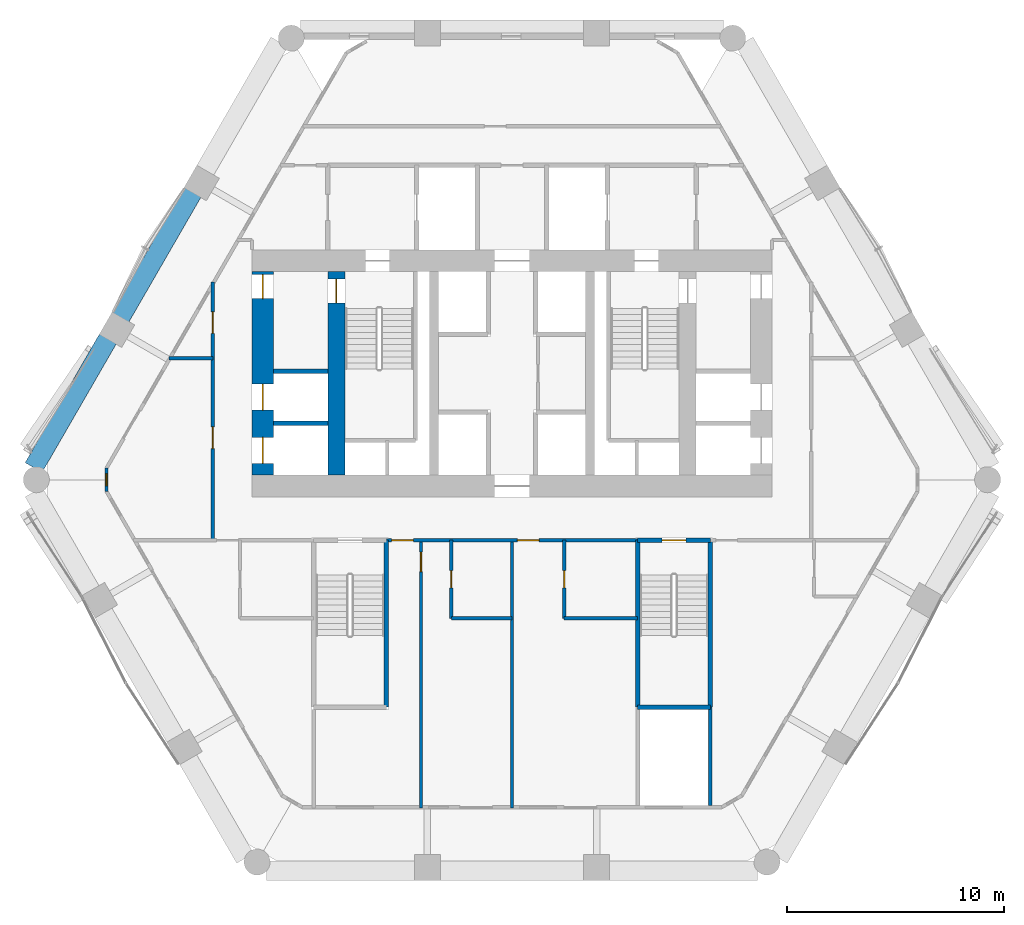
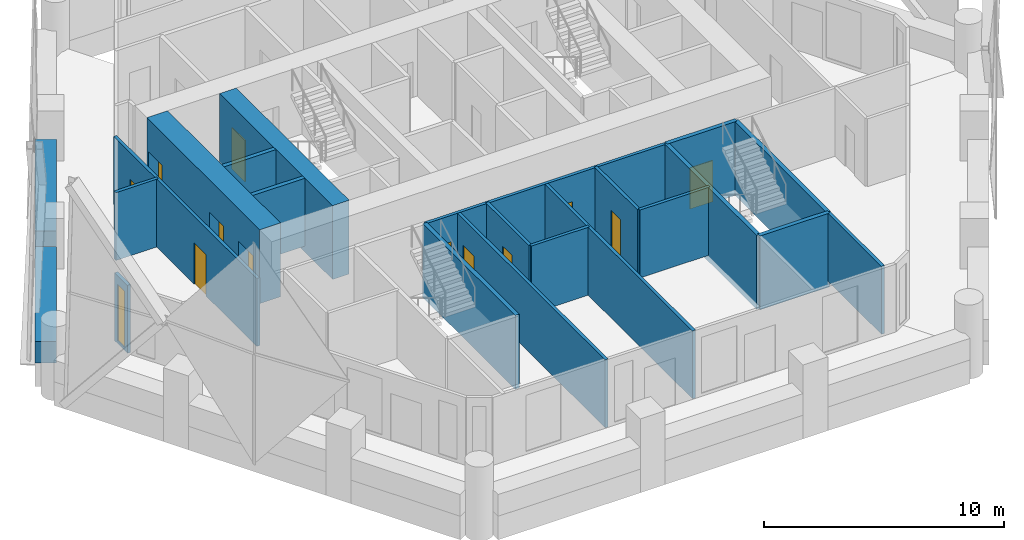
# One storey, part 10 of 17: 22 walls, 12 doors, 1 window, 13 openings.
"""IFC4 building model written with IfcOpenShell, lengths in metres."""

from ifc_helpers import new_model, si_unit, direction, frame, frame_2d, origin, place, context, subcontext, project, spatial, rectangle, extrude, material, layer, layer_set, type_object, element, fill, save


model = new_model("IFC4")

# Units and contexts
model_context = context("Model", 3, precision=1e-05, world=origin(), true_north=direction((0.0, 1.0)))
body_context = subcontext(model_context, "Body", "Model", "MODEL_VIEW")
ifc_project = project(units=[si_unit("LENGTHUNIT", "METRE"), si_unit("AREAUNIT", "SQUARE_METRE"), si_unit("VOLUMEUNIT", "CUBIC_METRE"), si_unit("PLANEANGLEUNIT", "RADIAN"), si_unit("MASSUNIT", "GRAM", prefix="KILO")], contexts=[model_context])

# Site, building, storey
site_placement = place(None, origin())
site = spatial("IfcSite", under=ifc_project, at=site_placement, CompositionType="ELEMENT")
building_placement = place(site_placement, origin())
building = spatial("IfcBuilding", under=site, at=building_placement, Name="Ostrander Bayou Hotel Tower", CompositionType="ELEMENT")
storey_placement = place(building_placement, frame((0.0, 0.0, 127.25)))
storey = spatial("IfcBuildingStorey", under=building, at=storey_placement, Name="L31", CompositionType="ELEMENT", Elevation=127.25)

# Wall, openings, doors
ifc_material_1 = material(Name="Concrete f'c 70 MPa", Category="concrete")
ifc_layer_1 = layer(ifc_material_1, 1.0)
ifc_layer_set_1 = layer_set([ifc_layer_1], Name="CW4 core wall 1000 mm f'c 70 MPa")
wall_type_1 = type_object("IfcWallType", Name="CW4 core wall 1000 mm f'c 70 MPa", PredefinedType="SHEAR", material=ifc_layer_set_1)
wall_1_placement = place(storey_placement, frame((-11.5, -0.699951171875, -0.300048828125), z_axis=(0.0, 0.0, 1.0), x_axis=(0.0, 1.0, 0.0)))
wall_1 = element("IfcWall", 1, at=wall_1_placement, inside=storey, type_object=wall_type_1, Name="CW4 L31 RW", PredefinedType="SHEAR", context=body_context, shape_type="SweptSolid", body=[
    extrude(rectangle(XDim=9.39990234375, YDim=1.0, at=frame_2d((4.699951171875, 0.0))), origin(), (0.0, 0.0, 1.0), 3.75),
])
opening_1_placement = place(wall_1_placement, frame((8.14990234375, 0.0, 0.0)))
opening_1 = element("IfcOpeningElement", 2, at=opening_1_placement, cuts=wall_1, Name="Opening T31-015", PredefinedType="OPENING", context=body_context, shape_type="SweptSolid", body=[
    extrude(rectangle(XDim=1.10009765625, YDim=2.10009765625, at=frame_2d((0.550048828125, 1.050048828125))), frame((0.0, 0.5, 0.0), z_axis=(0.0, -1.0, 0.0), x_axis=(1.0, 0.0, 0.0)), (0.0, 0.0, 1.0), 1.0),
])
opening_2_placement = place(wall_1_placement, frame((0.550048828125, 0.0, 0.0)))
opening_2 = element("IfcOpeningElement", 3, at=opening_2_placement, cuts=wall_1, Name="Opening T31-016", PredefinedType="OPENING", context=body_context, shape_type="SweptSolid", body=[
    extrude(rectangle(XDim=1.199951171875, YDim=2.10009765625, at=frame_2d((0.60009765625, 1.050048828125))), frame((0.0, 0.5, 0.0), z_axis=(0.0, -1.0, 0.0), x_axis=(1.0, 0.0, 0.0)), (0.0, 0.0, 1.0), 1.0),
])
opening_3_placement = place(wall_1_placement, frame((3.0, 0.0, 0.0)))
opening_3 = element("IfcOpeningElement", 4, at=opening_3_placement, cuts=wall_1, Name="Opening T31-017", PredefinedType="OPENING", context=body_context, shape_type="SweptSolid", body=[
    extrude(rectangle(XDim=1.199951171875, YDim=2.10009765625, at=frame_2d((0.60009765625, 1.050048828125))), frame((0.0, 0.5, 0.0), z_axis=(0.0, -1.0, 0.0), x_axis=(1.0, 0.0, 0.0)), (0.0, 0.0, 1.0), 1.0),
])
ifc_material_2 = material(Name="Timber door leaf", Category="wood")
door_type_1 = type_object("IfcDoorType", Name="D5 stair door 1100 x 2100 mm, 90 minute", OperationType="SINGLE_SWING_LEFT", PredefinedType="DOOR", material=ifc_material_2)
door_1_placement = place(opening_1_placement, origin())
door_1 = element("IfcDoor", 5, at=door_1_placement, inside=storey, type_object=door_type_1, Name="dr:L31:015", OperationType="SINGLE_SWING_LEFT", OverallHeight=2.10009765625, OverallWidth=1.10009765625, PredefinedType="DOOR", context=body_context, shape_type="SweptSolid", body=[
    extrude(rectangle(XDim=1.10009765625, YDim=2.10009765625, at=frame_2d((0.550048828125, 1.050048828125))), frame((0.0, 0.02490234375, 0.0), z_axis=(0.0, -1.0, 0.0), x_axis=(1.0, 0.0, 0.0)), (0.0, 0.0, 1.0), 0.050048828125),
])
fill(opening_1, door_1)
ifc_material_3 = material(Name="Stainless steel sliding door", Category="steel")
door_type_2 = type_object("IfcDoorType", Name="LD1 lift landing door 1200 x 2100 mm", OperationType="SINGLE_SWING_LEFT", PredefinedType="DOOR", material=ifc_material_3)
door_2_placement = place(opening_2_placement, origin())
door_2 = element("IfcDoor", 6, at=door_2_placement, inside=storey, type_object=door_type_2, Name="dr:L31:016", OperationType="SLIDING_TO_LEFT", OverallHeight=2.10009765625, OverallWidth=1.199951171875, PredefinedType="DOOR", context=body_context, shape_type="SweptSolid", body=[
    extrude(rectangle(XDim=1.199951171875, YDim=2.10009765625, at=frame_2d((0.60009765625, 1.050048828125))), frame((0.0, 0.02490234375, 0.0), z_axis=(0.0, -1.0, 0.0), x_axis=(1.0, 0.0, 0.0)), (0.0, 0.0, 1.0), 0.050048828125),
])
fill(opening_2, door_2)
door_3_placement = place(opening_3_placement, origin())
door_3 = element("IfcDoor", 7, at=door_3_placement, inside=storey, type_object=door_type_2, Name="dr:L31:017", OperationType="SLIDING_TO_LEFT", OverallHeight=2.10009765625, OverallWidth=1.199951171875, PredefinedType="DOOR", context=body_context, shape_type="SweptSolid", body=[
    extrude(rectangle(XDim=1.199951171875, YDim=2.10009765625, at=frame_2d((0.60009765625, 1.050048828125))), frame((0.0, 0.02490234375, 0.0), z_axis=(0.0, -1.0, 0.0), x_axis=(1.0, 0.0, 0.0)), (0.0, 0.0, 1.0), 0.050048828125),
])
fill(opening_3, door_3)

# Wall, opening, door
ifc_material_4 = material(Name="Concrete f'c 70 MPa", Category="concrete")
ifc_layer_2 = layer(ifc_material_4, 0.800048828125)
ifc_layer_set_2 = layer_set([ifc_layer_2], Name="CW5 core spine wall 800 mm f'c 70 MPa")
wall_type_2 = type_object("IfcWallType", Name="CW5 core spine wall 800 mm f'c 70 MPa", PredefinedType="SHEAR", material=ifc_layer_set_2)
wall_2_placement = place(storey_placement, frame((-8.10009765625, -0.699951171875, -0.300048828125), z_axis=(0.0, 0.0, 1.0), x_axis=(0.0, 1.0, 0.0)))
wall_2 = element("IfcWall", 8, at=wall_2_placement, inside=storey, type_object=wall_type_2, Name="CW5 L31 W", PredefinedType="SHEAR", context=body_context, shape_type="SweptSolid", body=[
    extrude(rectangle(XDim=9.39990234375, YDim=0.800048828125, at=frame_2d((4.699951171875, 0.0))), origin(), (0.0, 0.0, 1.0), 3.75),
])
opening_4_placement = place(wall_2_placement, frame((7.949951171875, 0.0, 0.0)))
opening_4 = element("IfcOpeningElement", 9, at=opening_4_placement, cuts=wall_2, Name="Opening T31-004", PredefinedType="OPENING", context=body_context, shape_type="SweptSolid", body=[
    extrude(rectangle(XDim=1.10009765625, YDim=2.10009765625, at=frame_2d((0.550048828125, 1.050048828125))), frame((0.0, 0.39990234375, 0.0), z_axis=(0.0, -1.0, 0.0), x_axis=(1.0, 0.0, 0.0)), (0.0, 0.0, 1.0), 0.800048828125),
])
door_4_placement = place(opening_4_placement, origin())
door_4 = element("IfcDoor", 10, at=door_4_placement, inside=storey, type_object=door_type_1, Name="dr:L31:004", OperationType="SINGLE_SWING_RIGHT", OverallHeight=2.10009765625, OverallWidth=1.10009765625, PredefinedType="DOOR", context=body_context, shape_type="SweptSolid", body=[
    extrude(rectangle(XDim=1.10009765625, YDim=2.10009765625, at=frame_2d((0.550048828125, 1.050048828125))), frame((0.0, 0.02490234375, 0.0), z_axis=(0.0, -1.0, 0.0), x_axis=(1.0, 0.0, 0.0)), (0.0, 0.0, 1.0), 0.050048828125),
])
fill(opening_4, door_4)

# Wall, opening, window
ifc_material_5 = material(Name="Aluminium framed insulated wall", Category="aluminium")
ifc_layer_3 = layer(ifc_material_5, 0.14990234375)
ifc_layer_set_3 = layer_set([ifc_layer_3], Name="GW1 glass-line wall 150 mm")
wall_type_3 = type_object("IfcWallType", Name="GW1 glass-line wall 150 mm", PredefinedType="SOLIDWALL", material=ifc_layer_set_3)
wall_3_placement = place(storey_placement, frame((-18.7099609375, -0.37841796875, 0.0), z_axis=(0.0, 0.0, 1.0), x_axis=(0.0, -1.0, 0.0)))
wall_3 = element("IfcWall", 11, at=wall_3_placement, inside=storey, type_object=wall_type_3, Name="GW1 L31 corner 2", PredefinedType="SOLIDWALL", context=body_context, shape_type="SweptSolid", body=[
    extrude(rectangle(XDim=1.065185546875, YDim=0.14990234375, at=frame_2d((0.53271484375, 0.0))), origin(), (0.0, 0.0, 1.0), 3.449951171875),
])
opening_5_placement = place(wall_3_placement, frame((0.257568359375, 0.0, 0.14990234375)))
opening_5 = element("IfcOpeningElement", 12, at=opening_5_placement, cuts=wall_3, Name="Opening W19", PredefinedType="OPENING", context=body_context, shape_type="SweptSolid", body=[
    extrude(rectangle(XDim=0.550048828125, YDim=2.85009765625, at=frame_2d((0.27490234375, 1.425048828125))), frame((0.0, 0.074951171875, 0.0), z_axis=(0.0, -1.0, 0.0), x_axis=(1.0, 0.0, 0.0)), (0.0, 0.0, 1.0), 0.14990234375),
])
ifc_material_6 = material(Name="Aluminium and clear glass", Category="aluminium")
window_type = type_object("IfcWindowType", Name="W19 corner window 550 mm", PartitioningType="SINGLE_PANEL", PredefinedType="WINDOW", material=ifc_material_6)
window_placement = place(opening_5_placement, origin())
window = element("IfcWindow", 13, at=window_placement, inside=storey, type_object=window_type, Name="W19 L31 corner 2", OverallHeight=2.85009765625, OverallWidth=0.550048828125, PartitioningType="SINGLE_PANEL", PredefinedType="WINDOW", context=body_context, shape_type="SweptSolid", body=[
    extrude(rectangle(XDim=0.550048828125, YDim=2.85009765625, at=frame_2d((0.27490234375, 1.425048828125))), frame((0.0, 0.030029296875, 0.0), z_axis=(0.0, -1.0, 0.0), x_axis=(1.0, 0.0, 0.0)), (0.0, 0.0, 1.0), 0.06005859375),
])
fill(opening_5, window)

# Walls
ifc_material_7 = material(Name="Concrete f'c 40 MPa", Category="concrete")
ifc_layer_4 = layer(ifc_material_7, 0.89990234375)
ifc_layer_set_4 = layer_set([ifc_layer_4], Name="PA1 stone-faced parapet 900 mm")
wall_type_4 = type_object("IfcWallType", Name="PA1 stone-faced parapet 900 mm", PredefinedType="PARAPET", material=ifc_layer_set_4)
wall_4_placement = place(storey_placement, frame((-14.7333984375, 12.359130859375, 0.0), z_axis=(0.0, 0.0, 1.0), x_axis=(-0.499999023957, -0.866025967302, 0.0)))
element("IfcWall", 14, at=wall_4_placement, inside=storey, type_object=wall_type_4, Name="PA1 L31 NW-2", PredefinedType="PARAPET", context=body_context, shape_type="SweptSolid", body=[
    extrude(rectangle(XDim=6.67333984375, YDim=0.89990234375, at=frame_2d((3.336669921875, 0.0))), origin(), (0.0, 0.0, 1.0), 1.10009765625),
])
wall_5_placement = place(storey_placement, frame((-18.639892578125, 5.592529296875, 0.0), z_axis=(0.0, 0.0, 1.0), x_axis=(-0.500001814021, -0.866024356456, 0.0)))
element("IfcWall", 15, at=wall_5_placement, inside=storey, type_object=wall_type_4, Name="PA1 L31 NW-3", PredefinedType="PARAPET", context=body_context, shape_type="SweptSolid", body=[
    extrude(rectangle(XDim=6.85888671875, YDim=0.89990234375, at=frame_2d((3.429443359375, 0.0))), origin(), (0.0, 0.0, 1.0), 1.10009765625),
])
ifc_material_8 = material(Name="Masonry block", Category="masonry")
ifc_layer_5 = layer(ifc_material_8, 0.199951171875)
ifc_layer_set_5 = layer_set([ifc_layer_5], Name="PT6 lift shaft wall 200 mm masonry, 2 hour")
wall_type_5 = type_object("IfcWallType", Name="PT6 lift shaft wall 200 mm masonry, 2 hour", PredefinedType="PARTITIONING", material=ifc_layer_set_5)
for number, where, z_axis, x_axis, name in (
    (16, (-11.0, 1.699951171875, 0.0), (0.0, 0.0, 1.0), (1.0, 0.0, 0.0), "cs:L31:033"),
    (17, (-11.0, 4.10009765625, 0.0), (0.0, 0.0, 1.0), (1.0, 0.0, 0.0), "cs:L31:034"),
):
    element("IfcWall", number, at=place(storey_placement, frame(where, z_axis=z_axis, x_axis=x_axis)), inside=storey, type_object=wall_type_5, Name=name, PredefinedType="PARTITIONING", context=body_context, shape_type="SweptSolid", body=[
        extrude(rectangle(XDim=2.5, YDim=0.199951171875, at=frame_2d((1.25, 0.0))), origin(), (0.0, 0.0, 1.0), 3.449951171875),
    ])
ifc_material_9 = material(Name="Gypsum board partition", Category="finish")
ifc_layer_6 = layer(ifc_material_9, 0.14990234375)
ifc_layer_set_6 = layer_set([ifc_layer_6], Name="PT7 riser wall 150 mm, 2 hour")
wall_type_6 = type_object("IfcWallType", Name="PT7 riser wall 150 mm, 2 hour", PredefinedType="PARTITIONING", material=ifc_layer_set_6)
wall_6_placement = place(storey_placement, frame((9.14990234375, -11.39990234375, 0.0), z_axis=(0.0, 0.0, 1.0), x_axis=(0.0, -1.0, 0.0)))
element("IfcWall", 18, at=wall_6_placement, inside=storey, type_object=wall_type_6, Name="cs:L31:020", PredefinedType="PARTITIONING", context=body_context, shape_type="SweptSolid", body=[
    extrude(rectangle(XDim=4.5390625, YDim=0.14990234375, at=frame_2d((2.26953125, 0.0))), origin(), (0.0, 0.0, 1.0), 3.449951171875),
])
ifc_material_10 = material(Name="Gypsum board partition", Category="finish")
ifc_layer_7 = layer(ifc_material_10, 0.14990234375)
ifc_layer_set_7 = layer_set([ifc_layer_7], Name="PT8 service band wall 150 mm, 1 hour")
wall_type_7 = type_object("IfcWallType", Name="PT8 service band wall 150 mm, 1 hour", PredefinedType="PARTITIONING", material=ifc_layer_set_7)
wall_7_placement = place(storey_placement, frame((-2.800048828125, -7.300048828125, 0.0), z_axis=(0.0, 0.0, 1.0), x_axis=(1.0, 0.0, 0.0)))
element("IfcWall", 19, at=wall_7_placement, inside=storey, type_object=wall_type_7, Name="gw:L31:002", PredefinedType="PARTITIONING", context=body_context, shape_type="SweptSolid", body=[
    extrude(rectangle(XDim=2.800048828125, YDim=0.14990234375, at=frame_2d((1.39990234375, 0.0))), origin(), (0.0, 0.0, 1.0), 3.449951171875),
])
wall_8_placement = place(storey_placement, frame((2.409912109375, -7.300048828125, 0.0), z_axis=(0.0, 0.0, 1.0), x_axis=(1.0, 0.0, 0.0)))
element("IfcWall", 20, at=wall_8_placement, inside=storey, type_object=wall_type_7, Name="gw:L31:003", PredefinedType="PARTITIONING", context=body_context, shape_type="SweptSolid", body=[
    extrude(rectangle(XDim=3.380126953125, YDim=0.14990234375, at=frame_2d((1.68994140625, 0.0))), origin(), (0.0, 0.0, 1.0), 3.449951171875),
])

# Wall, openings, doors
wall_9_placement = place(storey_placement, frame((-5.7900390625, -3.699951171875, 0.0), z_axis=(0.0, 0.0, 1.0), x_axis=(1.0, 0.0, 0.0)))
wall_9 = element("IfcWall", 21, at=wall_9_placement, inside=storey, type_object=wall_type_7, Name="gw:L31:006", PredefinedType="PARTITIONING", context=body_context, shape_type="SweptSolid", body=[
    extrude(rectangle(XDim=11.580078125, YDim=0.14990234375, at=frame_2d((5.7900390625, 0.0))), origin(), (0.0, 0.0, 1.0), 3.449951171875),
])
opening_6_placement = place(wall_9_placement, frame((0.239990234375, 0.0, 0.0)))
opening_6 = element("IfcOpeningElement", 22, at=opening_6_placement, cuts=wall_9, Name="Opening T31-400", PredefinedType="OPENING", context=body_context, shape_type="SweptSolid", body=[
    extrude(rectangle(XDim=1.0, YDim=2.10009765625, at=frame_2d((0.5, 1.050048828125))), frame((0.0, 0.074951171875, 0.0), z_axis=(0.0, -1.0, 0.0), x_axis=(1.0, 0.0, 0.0)), (0.0, 0.0, 1.0), 0.14990234375),
])
opening_7_placement = place(wall_9_placement, frame((6.0400390625, 0.0, 0.0)))
opening_7 = element("IfcOpeningElement", 23, at=opening_7_placement, cuts=wall_9, Name="Opening T31-405", PredefinedType="OPENING", context=body_context, shape_type="SweptSolid", body=[
    extrude(rectangle(XDim=1.0, YDim=2.10009765625, at=frame_2d((0.5, 1.050048828125))), frame((0.0, 0.074951171875, 0.0), z_axis=(0.0, -1.0, 0.0), x_axis=(1.0, 0.0, 0.0)), (0.0, 0.0, 1.0), 0.14990234375),
])
ifc_material_11 = material(Name="Timber door leaf", Category="wood")
door_type_3 = type_object("IfcDoorType", Name="D1 guest room door 1000 x 2100 mm, 30 minute", OperationType="SINGLE_SWING_LEFT", PredefinedType="DOOR", material=ifc_material_11)
door_5_placement = place(opening_6_placement, origin())
door_5 = element("IfcDoor", 24, at=door_5_placement, inside=storey, type_object=door_type_3, Name="dr:L31:400", OperationType="SINGLE_SWING_LEFT", OverallHeight=2.10009765625, OverallWidth=1.0, PredefinedType="DOOR", context=body_context, shape_type="SweptSolid", body=[
    extrude(rectangle(XDim=1.0, YDim=2.10009765625, at=frame_2d((0.5, 1.050048828125))), frame((0.0, 0.02490234375, 0.0), z_axis=(0.0, -1.0, 0.0), x_axis=(1.0, 0.0, 0.0)), (0.0, 0.0, 1.0), 0.050048828125),
])
fill(opening_6, door_5)
door_6_placement = place(opening_7_placement, origin())
door_6 = element("IfcDoor", 25, at=door_6_placement, inside=storey, type_object=door_type_3, Name="dr:L31:405", OperationType="SINGLE_SWING_LEFT", OverallHeight=2.10009765625, OverallWidth=1.0, PredefinedType="DOOR", context=body_context, shape_type="SweptSolid", body=[
    extrude(rectangle(XDim=1.0, YDim=2.10009765625, at=frame_2d((0.5, 1.050048828125))), frame((0.0, 0.02490234375, 0.0), z_axis=(0.0, -1.0, 0.0), x_axis=(1.0, 0.0, 0.0)), (0.0, 0.0, 1.0), 0.050048828125),
])
fill(opening_7, door_6)

# Wall
wall_10_placement = place(storey_placement, frame((-15.830078125, 4.699951171875, 0.0), z_axis=(0.0, 0.0, 1.0), x_axis=(1.0, 0.0, 0.0)))
element("IfcWall", 26, at=wall_10_placement, inside=storey, type_object=wall_type_7, Name="gw:L31:008", PredefinedType="PARTITIONING", context=body_context, shape_type="SweptSolid", body=[
    extrude(rectangle(XDim=2.030029296875, YDim=0.14990234375, at=frame_2d((1.01513671875, 0.0))), origin(), (0.0, 0.0, 1.0), 3.449951171875),
])

# Wall, opening, door
wall_11_placement = place(storey_placement, frame((2.409912109375, -7.300048828125, 0.0), z_axis=(0.0, 0.0, 1.0), x_axis=(0.0, 1.0, 0.0)))
wall_11 = element("IfcWall", 27, at=wall_11_placement, inside=storey, type_object=wall_type_7, Name="gw:L31:020", PredefinedType="PARTITIONING", context=body_context, shape_type="SweptSolid", body=[
    extrude(rectangle(XDim=3.60009765625, YDim=0.14990234375, at=frame_2d((1.800048828125, 0.0))), origin(), (0.0, 0.0, 1.0), 3.449951171875),
])
opening_8_placement = place(wall_11_placement, frame((1.39990234375, 0.0, 0.0)))
opening_8 = element("IfcOpeningElement", 28, at=opening_8_placement, cuts=wall_11, Name="Opening T31-406", PredefinedType="OPENING", context=body_context, shape_type="SweptSolid", body=[
    extrude(rectangle(XDim=0.800048828125, YDim=2.10009765625, at=frame_2d((0.39990234375, 1.050048828125))), frame((0.0, 0.074951171875, 0.0), z_axis=(0.0, -1.0, 0.0), x_axis=(1.0, 0.0, 0.0)), (0.0, 0.0, 1.0), 0.14990234375),
])
ifc_material_12 = material(Name="Timber door leaf", Category="wood")
door_type_4 = type_object("IfcDoorType", Name="D2 bathroom door 800 x 2100 mm", OperationType="SINGLE_SWING_LEFT", PredefinedType="DOOR", material=ifc_material_12)
door_7_placement = place(opening_8_placement, origin())
door_7 = element("IfcDoor", 29, at=door_7_placement, inside=storey, type_object=door_type_4, Name="dr:L31:406", OperationType="SINGLE_SWING_RIGHT", OverallHeight=2.10009765625, OverallWidth=0.800048828125, PredefinedType="DOOR", context=body_context, shape_type="SweptSolid", body=[
    extrude(rectangle(XDim=0.800048828125, YDim=2.10009765625, at=frame_2d((0.39990234375, 1.050048828125))), frame((0.0, 0.02490234375, 0.0), z_axis=(0.0, -1.0, 0.0), x_axis=(1.0, 0.0, 0.0)), (0.0, 0.0, 1.0), 0.050048828125),
])
fill(opening_8, door_7)

# Wall
wall_12_placement = place(storey_placement, frame((0.0, -16.05908203125, 0.0), z_axis=(0.0, 0.0, 1.0), x_axis=(0.0, 1.0, 0.0)))
element("IfcWall", 30, at=wall_12_placement, inside=storey, type_object=wall_type_7, Name="gw:L31:021", PredefinedType="PARTITIONING", context=body_context, shape_type="SweptSolid", body=[
    extrude(rectangle(XDim=12.359130859375, YDim=0.14990234375, at=frame_2d((6.1796875, 0.0))), origin(), (0.0, 0.0, 1.0), 3.449951171875),
])

# Wall, opening, door
wall_13_placement = place(storey_placement, frame((-2.800048828125, -7.300048828125, 0.0), z_axis=(0.0, 0.0, 1.0), x_axis=(0.0, 1.0, 0.0)))
wall_13 = element("IfcWall", 31, at=wall_13_placement, inside=storey, type_object=wall_type_7, Name="gw:L31:022", PredefinedType="PARTITIONING", context=body_context, shape_type="SweptSolid", body=[
    extrude(rectangle(XDim=3.60009765625, YDim=0.14990234375, at=frame_2d((1.800048828125, 0.0))), origin(), (0.0, 0.0, 1.0), 3.449951171875),
])
opening_9_placement = place(wall_13_placement, frame((1.39990234375, 0.0, 0.0)))
opening_9 = element("IfcOpeningElement", 32, at=opening_9_placement, cuts=wall_13, Name="Opening T31-402", PredefinedType="OPENING", context=body_context, shape_type="SweptSolid", body=[
    extrude(rectangle(XDim=0.800048828125, YDim=2.10009765625, at=frame_2d((0.39990234375, 1.050048828125))), frame((0.0, 0.074951171875, 0.0), z_axis=(0.0, -1.0, 0.0), x_axis=(1.0, 0.0, 0.0)), (0.0, 0.0, 1.0), 0.14990234375),
])
door_8_placement = place(opening_9_placement, origin())
door_8 = element("IfcDoor", 33, at=door_8_placement, inside=storey, type_object=door_type_4, Name="dr:L31:402", OperationType="SINGLE_SWING_RIGHT", OverallHeight=2.10009765625, OverallWidth=0.800048828125, PredefinedType="DOOR", context=body_context, shape_type="SweptSolid", body=[
    extrude(rectangle(XDim=0.800048828125, YDim=2.10009765625, at=frame_2d((0.39990234375, 1.050048828125))), frame((0.0, 0.02490234375, 0.0), z_axis=(0.0, -1.0, 0.0), x_axis=(1.0, 0.0, 0.0)), (0.0, 0.0, 1.0), 0.050048828125),
])
fill(opening_9, door_8)

wall_14_placement = place(storey_placement, frame((-4.199951171875, -16.05908203125, 0.0), z_axis=(0.0, 0.0, 1.0), x_axis=(0.0, 1.0, 0.0)))
wall_14 = element("IfcWall", 34, at=wall_14_placement, inside=storey, type_object=wall_type_7, Name="gw:L31:023", PredefinedType="PARTITIONING", context=body_context, shape_type="SweptSolid", body=[
    extrude(rectangle(XDim=12.359130859375, YDim=0.14990234375, at=frame_2d((6.1796875, 0.0))), origin(), (0.0, 0.0, 1.0), 3.449951171875),
])
opening_10_placement = place(wall_14_placement, frame((10.908935546875, 0.0, 0.0)))
opening_10 = element("IfcOpeningElement", 35, at=opening_10_placement, cuts=wall_14, Name="Opening T31-401", PredefinedType="OPENING", context=body_context, shape_type="SweptSolid", body=[
    extrude(rectangle(XDim=0.89990234375, YDim=2.10009765625, at=frame_2d((0.449951171875, 1.050048828125))), frame((0.0, 0.074951171875, 0.0), z_axis=(0.0, -1.0, 0.0), x_axis=(1.0, 0.0, 0.0)), (0.0, 0.0, 1.0), 0.14990234375),
])
ifc_material_13 = material(Name="Timber door leaf", Category="wood")
door_type_5 = type_object("IfcDoorType", Name="D8 room door 900 x 2100 mm", OperationType="SINGLE_SWING_LEFT", PredefinedType="DOOR", material=ifc_material_13)
door_9_placement = place(opening_10_placement, origin())
door_9 = element("IfcDoor", 36, at=door_9_placement, inside=storey, type_object=door_type_5, Name="dr:L31:401", OperationType="SINGLE_SWING_RIGHT", OverallHeight=2.10009765625, OverallWidth=0.89990234375, PredefinedType="DOOR", context=body_context, shape_type="SweptSolid", body=[
    extrude(rectangle(XDim=0.89990234375, YDim=2.10009765625, at=frame_2d((0.449951171875, 1.050048828125))), frame((0.0, 0.02490234375, 0.0), z_axis=(0.0, -1.0, 0.0), x_axis=(1.0, 0.0, 0.0)), (0.0, 0.0, 1.0), 0.050048828125),
])
fill(opening_10, door_9)

# Wall, openings, doors
wall_15_placement = place(storey_placement, frame((-13.800048828125, -3.699951171875, 0.0), z_axis=(0.0, 0.0, 1.0), x_axis=(0.0, 1.0, 0.0)))
wall_15 = element("IfcWall", 37, at=wall_15_placement, inside=storey, type_object=wall_type_7, Name="gw:L31:027", PredefinedType="PARTITIONING", context=body_context, shape_type="SweptSolid", body=[
    extrude(rectangle(XDim=11.916015625, YDim=0.14990234375, at=frame_2d((5.9580078125, 0.0))), origin(), (0.0, 0.0, 1.0), 3.449951171875),
])
opening_11_placement = place(wall_15_placement, frame((4.22705078125, 0.0, 0.0)))
opening_11 = element("IfcOpeningElement", 38, at=opening_11_placement, cuts=wall_15, Name="Opening T31-409", PredefinedType="OPENING", context=body_context, shape_type="SweptSolid", body=[
    extrude(rectangle(XDim=1.0, YDim=2.10009765625, at=frame_2d((0.5, 1.050048828125))), frame((0.0, 0.074951171875, 0.0), z_axis=(0.0, -1.0, 0.0), x_axis=(1.0, 0.0, 0.0)), (0.0, 0.0, 1.0), 0.14990234375),
])
opening_12_placement = place(wall_15_placement, frame((9.5380859375, 0.0, 0.0)))
opening_12 = element("IfcOpeningElement", 39, at=opening_12_placement, cuts=wall_15, Name="Opening T31-410", PredefinedType="OPENING", context=body_context, shape_type="SweptSolid", body=[
    extrude(rectangle(XDim=1.0, YDim=2.10009765625, at=frame_2d((0.5, 1.050048828125))), frame((0.0, 0.074951171875, 0.0), z_axis=(0.0, -1.0, 0.0), x_axis=(1.0, 0.0, 0.0)), (0.0, 0.0, 1.0), 0.14990234375),
])
ifc_material_14 = material(Name="Timber door leaf", Category="wood")
door_type_6 = type_object("IfcDoorType", Name="D15 room door 1000 x 2100 mm", OperationType="SINGLE_SWING_LEFT", PredefinedType="DOOR", material=ifc_material_14)
door_10_placement = place(opening_11_placement, origin())
door_10 = element("IfcDoor", 40, at=door_10_placement, inside=storey, type_object=door_type_6, Name="dr:L31:409", OperationType="SINGLE_SWING_LEFT", OverallHeight=2.10009765625, OverallWidth=1.0, PredefinedType="DOOR", context=body_context, shape_type="SweptSolid", body=[
    extrude(rectangle(XDim=1.0, YDim=2.10009765625, at=frame_2d((0.5, 1.050048828125))), frame((0.0, 0.02490234375, 0.0), z_axis=(0.0, -1.0, 0.0), x_axis=(1.0, 0.0, 0.0)), (0.0, 0.0, 1.0), 0.050048828125),
])
fill(opening_11, door_10)
ifc_material_15 = material(Name="Timber door leaf", Category="wood")
door_type_7 = type_object("IfcDoorType", Name="D9 service door 1000 x 2100 mm, 30 minute", OperationType="SINGLE_SWING_LEFT", PredefinedType="DOOR", material=ifc_material_15)
door_11_placement = place(opening_12_placement, origin())
door_11 = element("IfcDoor", 41, at=door_11_placement, inside=storey, type_object=door_type_7, Name="dr:L31:410", OperationType="SINGLE_SWING_LEFT", OverallHeight=2.10009765625, OverallWidth=1.0, PredefinedType="DOOR", context=body_context, shape_type="SweptSolid", body=[
    extrude(rectangle(XDim=1.0, YDim=2.10009765625, at=frame_2d((0.5, 1.050048828125))), frame((0.0, 0.02490234375, 0.0), z_axis=(0.0, -1.0, 0.0), x_axis=(1.0, 0.0, 0.0)), (0.0, 0.0, 1.0), 0.050048828125),
])
fill(opening_12, door_11)

# Wall, opening, door
ifc_material_16 = material(Name="Concrete f'c 45 MPa", Category="concrete")
ifc_layer_8 = layer(ifc_material_16, 0.199951171875)
ifc_layer_set_8 = layer_set([ifc_layer_8], Name="SW5 stair enclosure wall 200 mm f'c 45 MPa")
wall_type_8 = type_object("IfcWallType", Name="SW5 stair enclosure wall 200 mm f'c 45 MPa", PredefinedType="SOLIDWALL", material=ifc_layer_set_8)
wall_16_placement = place(storey_placement, frame((5.800048828125, -3.699951171875, -0.300048828125), z_axis=(0.0, 0.0, 1.0), x_axis=(1.0, 0.0, 0.0)))
wall_16 = element("IfcWall", 42, at=wall_16_placement, inside=storey, type_object=wall_type_8, Name="cs:L31:015", PredefinedType="SOLIDWALL", context=body_context, shape_type="SweptSolid", body=[
    extrude(rectangle(XDim=3.349853515625, YDim=0.199951171875, at=frame_2d((1.6748046875, 0.0))), origin(), (0.0, 0.0, 1.0), 3.75),
])
opening_13_placement = place(wall_16_placement, frame((1.125, 0.0, 0.0)))
opening_13 = element("IfcOpeningElement", 43, at=opening_13_placement, cuts=wall_16, Name="Opening T31-007", PredefinedType="OPENING", context=body_context, shape_type="SweptSolid", body=[
    extrude(rectangle(XDim=1.10009765625, YDim=2.10009765625, at=frame_2d((0.550048828125, 1.050048828125))), frame((0.0, 0.10009765625, 0.0), z_axis=(0.0, -1.0, 0.0), x_axis=(1.0, 0.0, 0.0)), (0.0, 0.0, 1.0), 0.199951171875),
])
door_12_placement = place(opening_13_placement, origin())
door_12 = element("IfcDoor", 44, at=door_12_placement, inside=storey, type_object=door_type_1, Name="dr:L31:007", OperationType="SINGLE_SWING_LEFT", OverallHeight=2.10009765625, OverallWidth=1.10009765625, PredefinedType="DOOR", context=body_context, shape_type="SweptSolid", body=[
    extrude(rectangle(XDim=1.10009765625, YDim=2.10009765625, at=frame_2d((0.550048828125, 1.050048828125))), frame((0.0, 0.02490234375, 0.0), z_axis=(0.0, -1.0, 0.0), x_axis=(1.0, 0.0, 0.0)), (0.0, 0.0, 1.0), 0.050048828125),
])
fill(opening_13, door_12)

# Walls
for number, where, z_axis, x_axis, name in (
    (45, (5.800048828125, -3.699951171875, -0.300048828125), (0.0, 0.0, 1.0), (0.0, -1.0, 0.0), "cs:L31:016"),
    (46, (9.14990234375, -3.699951171875, -0.300048828125), (0.0, 0.0, 1.0), (0.0, -1.0, 0.0), "cs:L31:017"),
):
    element("IfcWall", number, at=place(storey_placement, frame(where, z_axis=z_axis, x_axis=x_axis)), inside=storey, type_object=wall_type_8, Name=name, PredefinedType="SOLIDWALL", context=body_context, shape_type="SweptSolid", body=[
        extrude(rectangle(XDim=7.699951171875, YDim=0.199951171875, at=frame_2d((3.85009765625, 0.0))), origin(), (0.0, 0.0, 1.0), 3.75),
    ])
wall_17_placement = place(storey_placement, frame((5.800048828125, -11.39990234375, -0.300048828125), z_axis=(0.0, 0.0, 1.0), x_axis=(1.0, 0.0, 0.0)))
element("IfcWall", 47, at=wall_17_placement, inside=storey, type_object=wall_type_8, Name="cs:L31:018", PredefinedType="SOLIDWALL", context=body_context, shape_type="SweptSolid", body=[
    extrude(rectangle(XDim=3.349853515625, YDim=0.199951171875, at=frame_2d((1.6748046875, 0.0))), origin(), (0.0, 0.0, 1.0), 3.75),
])
wall_18_placement = place(storey_placement, frame((-5.800048828125, -3.699951171875, -0.300048828125), z_axis=(0.0, 0.0, 1.0), x_axis=(0.0, -1.0, 0.0)))
element("IfcWall", 48, at=wall_18_placement, inside=storey, type_object=wall_type_8, Name="cs:L31:023", PredefinedType="SOLIDWALL", context=body_context, shape_type="SweptSolid", body=[
    extrude(rectangle(XDim=7.699951171875, YDim=0.199951171875, at=frame_2d((3.85009765625, 0.0))), origin(), (0.0, 0.0, 1.0), 3.75),
])

save(model, "model.ifc")
